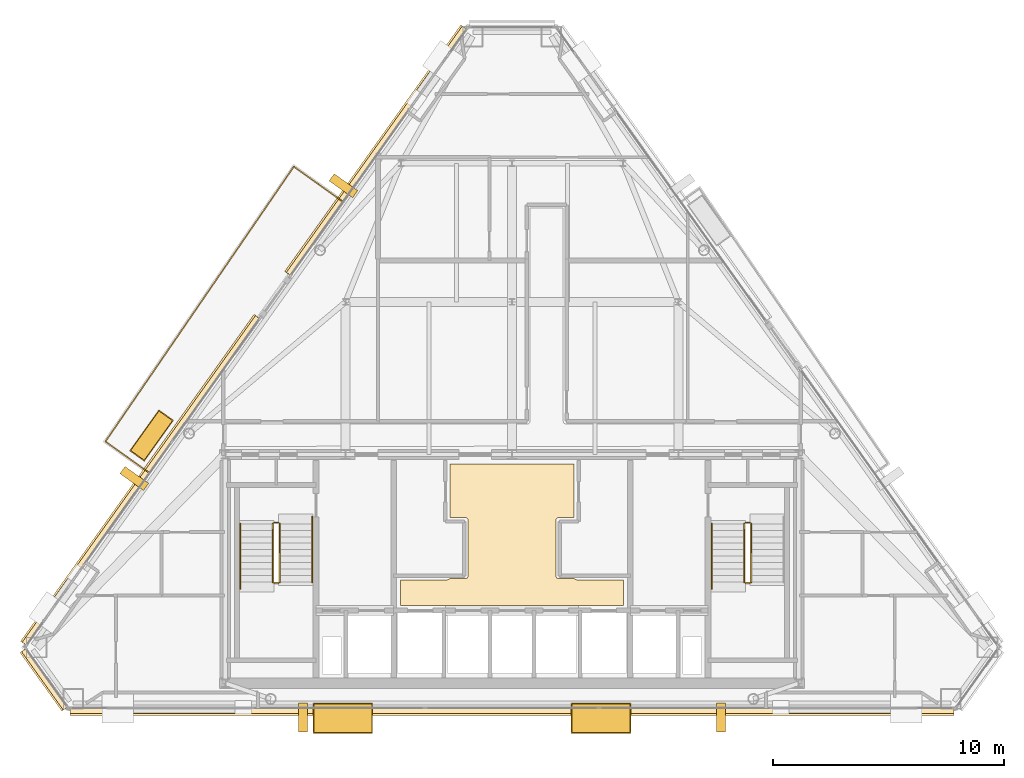
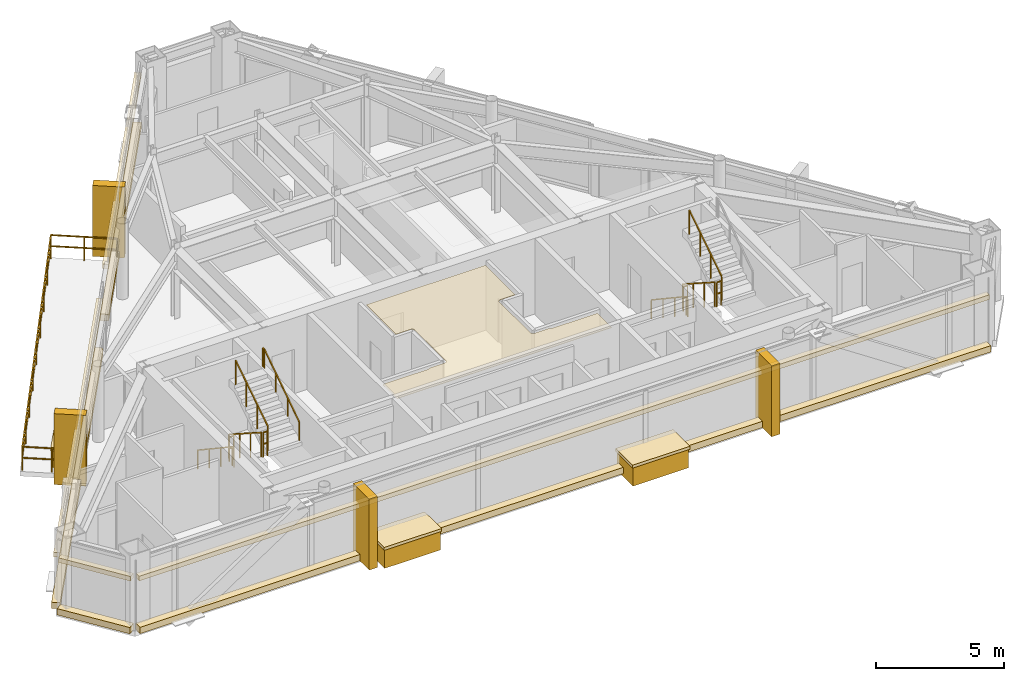
# One storey, part 11 of 12: 19 coverings, 12 railings.
"""IFC4 building model written with IfcOpenShell, lengths in metres."""

from ifc_helpers import new_model, si_unit, direction, frame, origin, origin_2d, place, context, subcontext, project, spatial, polyline, rectangle, outline, extrude, material, layer, layer_set, type_object, element, save


model = new_model("IFC4")

# Units and contexts
model_context = context("Model", 3, precision=1e-05, world=origin(), true_north=direction((0.0, 1.0)))
body_context = subcontext(model_context, "Body", "Model", "MODEL_VIEW")
ifc_project = project(units=[si_unit("LENGTHUNIT", "METRE"), si_unit("AREAUNIT", "SQUARE_METRE"), si_unit("VOLUMEUNIT", "CUBIC_METRE"), si_unit("PLANEANGLEUNIT", "RADIAN"), si_unit("MASSUNIT", "GRAM", prefix="KILO")], contexts=[model_context])

# Site, building, storey
site_placement = place(None, origin())
site = spatial("IfcSite", under=ifc_project, at=site_placement, CompositionType="ELEMENT")
building_placement = place(site_placement, origin())
building = spatial("IfcBuilding", under=site, at=building_placement, Name="Talgorran Terracotta Tower", CompositionType="ELEMENT")
storey_placement = place(building_placement, frame((0.0, 0.0, 281.39990234375)))
storey = spatial("IfcBuildingStorey", under=building, at=storey_placement, Name="L74", CompositionType="ELEMENT", Elevation=281.39990234375)

# Coverings
ifc_material_1 = material(Name="Kiln-Fired Terracotta Ochre Ceramic", Category="masonry")
ifc_layer_1 = layer(ifc_material_1, 0.179931640625, Name="COV_BAGUETTE_TERRACOTTA_SCREEN")
ifc_layer_set_1 = layer_set([ifc_layer_1], Name="Kiln-Fired Terracotta Ochre Ceramic")
covering_type_1 = type_object("IfcCoveringType", Name="COV_BAGUETTE_TERRACOTTA_SCREEN", PredefinedType="CLADDING", material=ifc_layer_set_1)
covering_1_placement = place(storey_placement, frame((-20.2119140625, -13.916748046875, 2.41015625), z_axis=(0.0, 0.0, 1.0), x_axis=(0.581256971997, -0.813720057824, 0.0)))
element("IfcCovering", 1, at=covering_1_placement, inside=storey, type_object=covering_type_1, Name="L74 Terracotta Baguette Solar Screen Assembly F0", PredefinedType="CLADDING", context=body_context, shape_type="SweptSolid", body=[
    extrude(rectangle(XDim=3.093994140625, YDim=0.260009765625, at=origin_2d()), origin(), (0.0, 0.0, 1.0), 0.219970703125),
])
covering_2_placement = place(storey_placement, frame((0.0, -15.2744140625, 2.41015625), z_axis=(0.0, 0.0, 1.0), x_axis=(1.0, 0.0, 0.0)))
element("IfcCovering", 2, at=covering_2_placement, inside=storey, type_object=covering_type_1, Name="L74 Terracotta Baguette Solar Screen Assembly F1", PredefinedType="CLADDING", context=body_context, shape_type="SweptSolid", body=[
    extrude(rectangle(XDim=38.240966796875, YDim=0.260009765625, at=origin_2d()), origin(), (0.0, 0.0, 1.0), 0.219970703125),
])
covering_3_placement = place(storey_placement, frame((-5.853515625, 8.931884765625, 2.41015625), z_axis=(0.0, 0.0, 1.0), x_axis=(-0.581242769814, -0.813730202548, 0.0)))
element("IfcCovering", 3, at=covering_3_placement, inside=storey, type_object=covering_type_1, Name="L74 Terracotta Baguette Solar Screen Assembly F60", PredefinedType="CLADDING", context=body_context, shape_type="SweptSolid", body=[
    extrude(rectangle(XDim=13.091064453125, YDim=0.260009765625, at=origin_2d()), origin(), (0.0, 0.0, 1.0), 0.219970703125),
])
covering_4_placement = place(storey_placement, frame((-16.04150390625, -5.33056640625, 2.41015625), z_axis=(0.0, 0.0, 1.0), x_axis=(-0.581242769814, -0.813730202548, 0.0)))
element("IfcCovering", 4, at=covering_4_placement, inside=storey, type_object=covering_type_1, Name="L74 Terracotta Baguette Solar Screen Assembly F61", PredefinedType="CLADDING", context=body_context, shape_type="SweptSolid", body=[
    extrude(rectangle(XDim=17.363525390625, YDim=0.260009765625, at=origin_2d()), origin(), (0.0, 0.0, 1.0), 0.219970703125),
])
ifc_material_2 = material(Name="Flush Moisture-Resistant Plaster")
ifc_layer_2 = layer(ifc_material_2, 0.01806640625, Name="COV_CEIL_PLASTER")
ifc_layer_set_2 = layer_set([ifc_layer_2], Name="Flush Moisture-Resistant Plaster")
covering_type_2 = type_object("IfcCoveringType", Name="COV_CEIL_PLASTER", PredefinedType="CEILING", material=ifc_layer_set_2)
covering_5_placement = place(storey_placement, frame((0.0, 0.0, 3.22998046875)))
element("IfcCovering", 5, at=covering_5_placement, inside=storey, type_object=covering_type_2, Name="CEIL-L74-1", PredefinedType="CEILING", context=body_context, shape_type="SweptSolid", body=[
    extrude(outline(polyline([(-2.70263671875, -9.570068359375), (-2.02001953125, -9.570068359375), (-2.00830078125, -9.5693359375), (-1.99658203125, -9.567626953125), (-1.985107421875, -9.564697265625), (-1.97412109375, -9.560791015625), (-1.96337890625, -9.555908203125), (-1.953369140625, -9.5498046875), (-1.94384765625, -9.542724609375), (-1.93505859375, -9.534912109375), (-1.92724609375, -9.526123046875), (-1.920166015625, -9.5166015625), (-1.914306640625, -9.506591796875), (-1.9091796875, -9.495849609375), (-1.9052734375, -9.48486328125), (-1.90234375, -9.473388671875), (-1.900634765625, -9.4619140625), (-1.89990234375, -9.449951171875), (-1.89990234375, -7.050048828125), (-1.900634765625, -7.0380859375), (-1.90234375, -7.026611328125), (-1.9052734375, -7.01513671875), (-1.9091796875, -7.004150390625), (-1.914306640625, -6.993408203125), (-1.920166015625, -6.9833984375), (-1.92724609375, -6.973876953125), (-1.93505859375, -6.965087890625), (-1.94384765625, -6.957275390625), (-1.953369140625, -6.9501953125), (-1.96337890625, -6.944091796875), (-1.97412109375, -6.939208984375), (-1.985107421875, -6.935302734375), (-1.99658203125, -6.932373046875), (-2.00830078125, -6.9306640625), (-2.02001953125, -6.929931640625), (-2.679931640625, -6.929931640625), (-2.679931640625, -4.6201171875), (2.679931640625, -4.6201171875), (2.679931640625, -6.929931640625), (2.02001953125, -6.929931640625), (2.00830078125, -6.9306640625), (1.99658203125, -6.932373046875), (1.985107421875, -6.935302734375), (1.97412109375, -6.939208984375), (1.96337890625, -6.944091796875), (1.953369140625, -6.9501953125), (1.94384765625, -6.957275390625), (1.93505859375, -6.965087890625), (1.92724609375, -6.973876953125), (1.920166015625, -6.9833984375), (1.914306640625, -6.993408203125), (1.9091796875, -7.004150390625), (1.9052734375, -7.01513671875), (1.90234375, -7.026611328125), (1.900634765625, -7.0380859375), (1.89990234375, -7.050048828125), (1.89990234375, -9.449951171875), (1.900634765625, -9.4619140625), (1.90234375, -9.473388671875), (1.9052734375, -9.48486328125), (1.9091796875, -9.495849609375), (1.914306640625, -9.506591796875), (1.920166015625, -9.5166015625), (1.92724609375, -9.526123046875), (1.93505859375, -9.534912109375), (1.94384765625, -9.542724609375), (1.953369140625, -9.5498046875), (1.96337890625, -9.555908203125), (1.97412109375, -9.560791015625), (1.985107421875, -9.564697265625), (1.99658203125, -9.567626953125), (2.00830078125, -9.5693359375), (2.02001953125, -9.570068359375), (2.70263671875, -9.570068359375), (2.707275390625, -9.576171875), (2.715087890625, -9.5849609375), (2.723876953125, -9.5927734375), (2.7333984375, -9.599853515625), (2.743408203125, -9.605712890625), (2.754150390625, -9.61083984375), (2.76513671875, -9.61474609375), (2.776611328125, -9.61767578125), (2.7880859375, -9.619384765625), (2.800048828125, -9.6201171875), (4.830078125, -9.6201171875), (4.830078125, -10.72998046875), (-4.830078125, -10.72998046875), (-4.830078125, -9.6201171875), (-2.800048828125, -9.6201171875), (-2.7880859375, -9.619384765625), (-2.776611328125, -9.61767578125), (-2.76513671875, -9.61474609375), (-2.754150390625, -9.61083984375), (-2.743408203125, -9.605712890625), (-2.7333984375, -9.599853515625), (-2.723876953125, -9.5927734375), (-2.715087890625, -9.5849609375), (-2.707275390625, -9.576171875), (-2.70263671875, -9.570068359375)])), origin(), (0.0, 0.0, 1.0), 0.02001953125),
])
ifc_material_3 = material(Name="Honed Limestone and Terracotta Planter", Category="masonry")
ifc_layer_3 = layer(ifc_material_3, 0.1201171875, Name="COV_PLANTER_BOX")
ifc_layer_set_3 = layer_set([ifc_layer_3], Name="Honed Limestone and Terracotta Planter")
covering_type_3 = type_object("IfcCoveringType", Name="COV_PLANTER_BOX", PredefinedType="CLADDING", material=ifc_layer_set_3)
for number, where, z_axis, x_axis, name in (
    (6, (3.8505859375, -15.614501953125, -0.179931640625), (0.0, 0.0, 1.0), (1.0, 0.0, 0.0), "L74 Staggered South Facade Planter Box 1"),
    (7, (-7.31591796875, -15.614501953125, -0.179931640625), (0.0, 0.0, 1.0), (1.0, 0.0, 0.0), "L74 Staggered South Facade Planter Box 2"),
):
    element("IfcCovering", number, at=place(storey_placement, frame(where, z_axis=z_axis, x_axis=x_axis)), inside=storey, type_object=covering_type_3, Name=name, PredefinedType="CLADDING", context=body_context, shape_type="SweptSolid", body=[
        extrude(rectangle(XDim=2.5, YDim=1.25, at=origin_2d()), origin(), (0.0, 0.0, 1.0), 0.919921875),
    ])
covering_6_placement = place(storey_placement, frame((-15.5947265625, -3.38037109375, -0.02001953125), z_axis=(0.0, 0.0, 1.0), x_axis=(-0.581256971997, -0.813720057824, 0.0)))
element("IfcCovering", 8, at=covering_6_placement, inside=storey, type_object=covering_type_3, Name="L74 Staggered Balcony Planter Box BAL-NW", PredefinedType="CLADDING", context=body_context, shape_type="SweptSolid", body=[
    extrude(rectangle(XDim=2.10009765625, YDim=0.719970703125, at=origin_2d()), origin(), (0.0, 0.0, 1.0), 0.860107421875),
])
ifc_material_4 = material(Name="Kiln-Fired Terracotta Planter Rim", Category="masonry")
ifc_layer_4 = layer(ifc_material_4, 0.10009765625, Name="COV_PLANTER_RIM")
ifc_layer_set_4 = layer_set([ifc_layer_4], Name="Kiln-Fired Terracotta Planter Rim")
covering_type_4 = type_object("IfcCoveringType", Name="COV_PLANTER_RIM", PredefinedType="CLADDING", material=ifc_layer_set_4)
for number, where, z_axis, x_axis, name in (
    (9, (3.8505859375, -15.614501953125, 0.7099609375), (0.0, 0.0, 1.0), (1.0, 0.0, 0.0), "L74 South Planter Terracotta Rim 1"),
    (10, (-7.31591796875, -15.614501953125, 0.7099609375), (0.0, 0.0, 1.0), (1.0, 0.0, 0.0), "L74 South Planter Terracotta Rim 2"),
):
    element("IfcCovering", number, at=place(storey_placement, frame(where, z_axis=z_axis, x_axis=x_axis)), inside=storey, type_object=covering_type_4, Name=name, PredefinedType="CLADDING", context=body_context, shape_type="SweptSolid", body=[
        extrude(rectangle(XDim=2.580078125, YDim=1.320068359375, at=origin_2d()), origin(), (0.0, 0.0, 1.0), 0.139892578125),
    ])
covering_7_placement = place(storey_placement, frame((-15.5947265625, -3.38037109375, 0.800048828125), z_axis=(0.0, 0.0, 1.0), x_axis=(-0.581256971997, -0.813720057824, 0.0)))
element("IfcCovering", 11, at=covering_7_placement, inside=storey, type_object=covering_type_4, Name="L74 Balcony Planter Terracotta Rim BAL-NW", PredefinedType="CLADDING", context=body_context, shape_type="SweptSolid", body=[
    extrude(rectangle(XDim=2.179931640625, YDim=0.780029296875, at=origin_2d()), origin(), (0.0, 0.0, 1.0), 0.1201171875),
])
ifc_material_5 = material(Name="Honed Limestone Cladding", Category="masonry")
ifc_layer_5 = layer(ifc_material_5, 0.094970703125, Name="COV_PORTAL_LIME")
ifc_layer_set_5 = layer_set([ifc_layer_5], Name="Honed Limestone Cladding")
covering_type_5 = type_object("IfcCoveringType", Name="COV_PORTAL_LIME", PredefinedType="CLADDING", material=ifc_layer_set_5)
covering_8_placement = place(storey_placement, frame((-20.244384765625, -13.93994140625, -0.0400390625), z_axis=(0.0, 0.0, 1.0), x_axis=(0.581256971997, -0.813720057824, 0.0)))
element("IfcCovering", 12, at=covering_8_placement, inside=storey, type_object=covering_type_5, Name="L74 Striped Postmodern Portal Cladding Band F0", PredefinedType="CLADDING", context=body_context, shape_type="SweptSolid", body=[
    extrude(rectangle(XDim=3.114013671875, YDim=0.340087890625, at=origin_2d()), origin(), (0.0, 0.0, 1.0), 0.300048828125),
])
covering_9_placement = place(storey_placement, frame((0.0, -15.314453125, -0.0400390625), z_axis=(0.0, 0.0, 1.0), x_axis=(1.0, 0.0, 0.0)))
element("IfcCovering", 13, at=covering_9_placement, inside=storey, type_object=covering_type_5, Name="L74 Striped Postmodern Portal Cladding Band F1", PredefinedType="CLADDING", context=body_context, shape_type="SweptSolid", body=[
    extrude(rectangle(XDim=38.260986328125, YDim=0.340087890625, at=origin_2d()), origin(), (0.0, 0.0, 1.0), 0.300048828125),
])
covering_10_placement = place(storey_placement, frame((-5.88623046875, 8.955078125, -0.0400390625), z_axis=(0.0, 0.0, 1.0), x_axis=(-0.581242769814, -0.813730202548, 0.0)))
element("IfcCovering", 14, at=covering_10_placement, inside=storey, type_object=covering_type_5, Name="L74 Striped Postmodern Portal Cladding Band F60", PredefinedType="CLADDING", context=body_context, shape_type="SweptSolid", body=[
    extrude(rectangle(XDim=13.111083984375, YDim=0.340087890625, at=origin_2d()), origin(), (0.0, 0.0, 1.0), 0.300048828125),
])
covering_11_placement = place(storey_placement, frame((-16.073974609375, -5.307373046875, -0.0400390625), z_axis=(0.0, 0.0, 1.0), x_axis=(-0.581242769814, -0.813730202548, 0.0)))
element("IfcCovering", 15, at=covering_11_placement, inside=storey, type_object=covering_type_5, Name="L74 Striped Postmodern Portal Cladding Band F61", PredefinedType="CLADDING", context=body_context, shape_type="SweptSolid", body=[
    extrude(rectangle(XDim=17.383544921875, YDim=0.340087890625, at=origin_2d()), origin(), (0.0, 0.0, 1.0), 0.300048828125),
])
for number, where, z_axis, x_axis, name in (
    (16, (9.048583984375, -15.574462890625, -0.050048828125), (0.0, 0.0, 1.0), (1.0, 0.0, 0.0), "L74 White Striped Portal Fin F1-2"),
    (17, (-16.34375, -5.23779296875, -0.050048828125), (0.0, 0.0, 1.0), (-0.581256971997, -0.813720057824, 0.0), "L74 White Striped Portal Fin F5-2"),
):
    element("IfcCovering", number, at=place(storey_placement, frame(where, z_axis=z_axis, x_axis=x_axis)), inside=storey, type_object=covering_type_5, Name=name, PredefinedType="CLADDING", context=body_context, shape_type="SweptSolid", body=[
        extrude(rectangle(XDim=0.3798828125, YDim=1.25, at=origin_2d()), origin(), (0.0, 0.0, 1.0), 3.3701171875),
    ])
ifc_material_6 = material(Name="Kiln-Fired Terracotta Cladding", Category="masonry")
ifc_layer_6 = layer(ifc_material_6, 0.090087890625, Name="COV_PORTAL_TERRA")
ifc_layer_set_6 = layer_set([ifc_layer_6], Name="Kiln-Fired Terracotta Cladding")
covering_type_6 = type_object("IfcCoveringType", Name="COV_PORTAL_TERRA", PredefinedType="CLADDING", material=ifc_layer_set_6)
for number, where, z_axis, x_axis, name in (
    (18, (-9.048583984375, -15.574462890625, -0.050048828125), (0.0, 0.0, 1.0), (1.0, 0.0, 0.0), "L74 Terracotta Striped Portal Fin F1-1"),
    (19, (-7.295166015625, 7.429931640625, -0.050048828125), (0.0, 0.0, 1.0), (-0.581256971997, -0.813720057824, 0.0), "L74 Terracotta Striped Portal Fin F5-1"),
):
    element("IfcCovering", number, at=place(storey_placement, frame(where, z_axis=z_axis, x_axis=x_axis)), inside=storey, type_object=covering_type_6, Name=name, PredefinedType="CLADDING", context=body_context, shape_type="SweptSolid", body=[
        extrude(rectangle(XDim=0.3798828125, YDim=1.25, at=origin_2d()), origin(), (0.0, 0.0, 1.0), 3.3701171875),
    ])

# Railings
ifc_material_7 = material(Name="Laminated Glass and Stainless Steel 316", Category="steel")
railing_type_1 = type_object("IfcRailingType", Name="RL_BALCONY_1150", PredefinedType="BALUSTRADE", material=ifc_material_7)
railing_1_placement = place(storey_placement, frame((-7.3212890625, 6.739501953125, 0.0)))
element("IfcRailing", 20, at=railing_1_placement, inside=storey, type_object=railing_type_1, Name="RL-L74-BAL-BAL-NW", PredefinedType="BALUSTRADE", context=body_context, shape_type="SweptSolid", body=[
    extrude(rectangle(XDim=0.048095703125, YDim=0.048095703125, at=origin_2d()), frame((0.0, 0.0, 1.1259765625), z_axis=(-0.813695478389, 0.581291379989, 0.0), x_axis=(-0.581291379989, -0.813695478389, 0.0)), (0.0, 0.0, 1.0), 2.605224609375),
    extrude(rectangle(XDim=0.048095703125, YDim=0.048095703125, at=origin_2d()), frame((0.0, 0.0, 0.597900390625), z_axis=(-0.813695478389, 0.581291379989, 0.0), x_axis=(-0.581291379989, -0.813695478389, 0.0)), (0.0, 0.0, 1.0), 2.605224609375),
    extrude(rectangle(XDim=0.048095703125, YDim=0.048095703125, at=origin_2d()), frame((-2.119873046875, 1.514404296875, 1.1259765625), z_axis=(-0.565176165359, -0.824970243167, 0.0), x_axis=(0.824970243167, -0.565176165359, 0.0)), (0.0, 0.0, 1.0), 14.416748046875),
    extrude(rectangle(XDim=0.048095703125, YDim=0.048095703125, at=origin_2d()), frame((-2.119873046875, 1.514404296875, 0.597900390625), z_axis=(-0.565176165359, -0.824970243167, 0.0), x_axis=(0.824970243167, -0.565176165359, 0.0)), (0.0, 0.0, 1.0), 14.416748046875),
    extrude(rectangle(XDim=0.048095703125, YDim=0.048095703125, at=origin_2d()), frame((-10.267822265625, -10.37890625, 1.1259765625), z_axis=(0.813747676609, -0.581218305642, 0.0), x_axis=(0.581218305642, 0.813747676609, 0.0)), (0.0, 0.0, 1.0), 2.322509765625),
    extrude(rectangle(XDim=0.048095703125, YDim=0.048095703125, at=origin_2d()), frame((-10.267822265625, -10.37890625, 0.597900390625), z_axis=(0.813747676609, -0.581218305642, 0.0), x_axis=(0.581218305642, 0.813747676609, 0.0)), (0.0, 0.0, 1.0), 2.322509765625),
    extrude(rectangle(XDim=0.0419921875, YDim=0.0419921875, at=origin_2d()), origin(), (0.0, 0.0, 1.0), 1.101806640625),
    extrude(rectangle(XDim=0.0419921875, YDim=0.0419921875, at=origin_2d()), frame((-1.06005859375, 0.75732421875, 0.0)), (0.0, 0.0, 1.0), 1.101806640625),
    extrude(rectangle(XDim=0.0419921875, YDim=0.0419921875, at=origin_2d()), frame((-2.119873046875, 1.514404296875, 0.0)), (0.0, 0.0, 1.0), 1.101806640625),
    extrude(rectangle(XDim=0.0419921875, YDim=0.0419921875, at=origin_2d()), frame((-3.138427734375, 0.02783203125, 0.0)), (0.0, 0.0, 1.0), 1.101806640625),
    extrude(rectangle(XDim=0.0419921875, YDim=0.0419921875, at=origin_2d()), frame((-4.15673828125, -1.458984375, 0.0)), (0.0, 0.0, 1.0), 1.101806640625),
    extrude(rectangle(XDim=0.0419921875, YDim=0.0419921875, at=origin_2d()), frame((-5.17529296875, -2.945556640625, 0.0)), (0.0, 0.0, 1.0), 1.101806640625),
    extrude(rectangle(XDim=0.0419921875, YDim=0.0419921875, at=origin_2d()), frame((-6.19384765625, -4.43212890625, 0.0)), (0.0, 0.0, 1.0), 1.101806640625),
    extrude(rectangle(XDim=0.0419921875, YDim=0.0419921875, at=origin_2d()), frame((-7.21240234375, -5.9189453125, 0.0)), (0.0, 0.0, 1.0), 1.101806640625),
    extrude(rectangle(XDim=0.0419921875, YDim=0.0419921875, at=origin_2d()), frame((-8.23095703125, -7.405517578125, 0.0)), (0.0, 0.0, 1.0), 1.101806640625),
    extrude(rectangle(XDim=0.0419921875, YDim=0.0419921875, at=origin_2d()), frame((-9.249267578125, -8.892333984375, 0.0)), (0.0, 0.0, 1.0), 1.101806640625),
    extrude(rectangle(XDim=0.0419921875, YDim=0.0419921875, at=origin_2d()), frame((-10.267822265625, -10.37890625, 0.0)), (0.0, 0.0, 1.0), 1.101806640625),
    extrude(rectangle(XDim=0.0419921875, YDim=0.0419921875, at=origin_2d()), frame((-9.32275390625, -11.0537109375, 0.0)), (0.0, 0.0, 1.0), 1.101806640625),
    extrude(rectangle(XDim=0.0419921875, YDim=0.0419921875, at=origin_2d()), frame((-8.3779296875, -11.728759765625, 0.0)), (0.0, 0.0, 1.0), 1.101806640625),
])
ifc_material_8 = material(Name="Steel S355 (300PLUS)", Category="steel")
railing_type_2 = type_object("IfcRailingType", Name="RL_HANDRAIL_920", PredefinedType="HANDRAIL", material=ifc_material_8)
railing_2_placement = place(storey_placement, frame((-11.75, -7.199951171875, 0.18017578125)))
element("IfcRailing", 21, at=railing_2_placement, inside=storey, type_object=railing_type_2, Name="L74 ST-01 stair handrail 1", PredefinedType="HANDRAIL", context=body_context, shape_type="SweptSolid", body=[
    extrude(rectangle(XDim=0.048095703125, YDim=0.048095703125, at=origin_2d()), frame((0.0, 0.0, 0.89599609375), z_axis=(0.0, -0.832073444223, 0.554665469827), x_axis=(1.0, 0.0, 0.0)), (0.0, 0.0, 1.0), 3.244873046875),
    extrude(rectangle(XDim=0.048095703125, YDim=0.048095703125, at=origin_2d()), frame((0.0, -2.699951171875, 2.69580078125), z_axis=(0.0, -1.0, 0.0), x_axis=(1.0, 0.0, 0.0)), (0.0, 0.0, 1.0), 0.1201171875),
    extrude(rectangle(XDim=0.0419921875, YDim=0.0419921875, at=origin_2d()), origin(), (0.0, 0.0, 1.0), 0.871826171875),
    extrude(rectangle(XDim=0.0419921875, YDim=0.0419921875, at=origin_2d()), frame((0.0, -0.89990234375, 0.599853515625)), (0.0, 0.0, 1.0), 0.871826171875),
    extrude(rectangle(XDim=0.0419921875, YDim=0.0419921875, at=origin_2d()), frame((0.0, -1.800048828125, 1.199951171875)), (0.0, 0.0, 1.0), 0.871826171875),
    extrude(rectangle(XDim=0.0419921875, YDim=0.0419921875, at=origin_2d()), frame((0.0, -2.699951171875, 1.7998046875)), (0.0, 0.0, 1.0), 0.871826171875),
    extrude(rectangle(XDim=0.0419921875, YDim=0.0419921875, at=origin_2d()), frame((0.0, -2.820068359375, 1.7998046875)), (0.0, 0.0, 1.0), 0.871826171875),
])
railing_3_placement = place(storey_placement, frame((-8.64990234375, -9.719970703125, 1.97998046875)))
element("IfcRailing", 22, at=railing_3_placement, inside=storey, type_object=railing_type_2, Name="L74 ST-01 stair handrail 2", PredefinedType="HANDRAIL", context=body_context, shape_type="SweptSolid", body=[
    extrude(rectangle(XDim=0.048095703125, YDim=0.048095703125, at=origin_2d()), frame((0.0, 0.0, 0.89599609375), z_axis=(0.0, 0.832038719335, 0.554717558338), x_axis=(-1.0, 0.0, 0.0)), (0.0, 0.0, 1.0), 3.244873046875),
    extrude(rectangle(XDim=0.048095703125, YDim=0.048095703125, at=origin_2d()), frame((0.0, 2.699951171875, 2.69580078125), z_axis=(0.0, 1.0, 0.0), x_axis=(-1.0, 0.0, 0.0)), (0.0, 0.0, 1.0), 0.1201171875),
    extrude(rectangle(XDim=0.0419921875, YDim=0.0419921875, at=origin_2d()), origin(), (0.0, 0.0, 1.0), 0.871826171875),
    extrude(rectangle(XDim=0.0419921875, YDim=0.0419921875, at=origin_2d()), frame((0.0, 0.89990234375, 0.60009765625)), (0.0, 0.0, 1.0), 0.871826171875),
    extrude(rectangle(XDim=0.0419921875, YDim=0.0419921875, at=origin_2d()), frame((0.0, 1.800048828125, 1.199951171875)), (0.0, 0.0, 1.0), 0.871826171875),
    extrude(rectangle(XDim=0.0419921875, YDim=0.0419921875, at=origin_2d()), frame((0.0, 2.699951171875, 1.800048828125)), (0.0, 0.0, 1.0), 0.871826171875),
    extrude(rectangle(XDim=0.0419921875, YDim=0.0419921875, at=origin_2d()), frame((0.0, 2.820068359375, 1.800048828125)), (0.0, 0.0, 1.0), 0.871826171875),
])
railing_4_placement = place(storey_placement, frame((8.64990234375, -7.199951171875, 0.18017578125)))
element("IfcRailing", 23, at=railing_4_placement, inside=storey, type_object=railing_type_2, Name="L74 ST-02 stair handrail 1", PredefinedType="HANDRAIL", context=body_context, shape_type="SweptSolid", body=[
    extrude(rectangle(XDim=0.048095703125, YDim=0.048095703125, at=origin_2d()), frame((0.0, 0.0, 0.89599609375), z_axis=(0.0, -0.832073444223, 0.554665469827), x_axis=(1.0, 0.0, 0.0)), (0.0, 0.0, 1.0), 3.244873046875),
    extrude(rectangle(XDim=0.048095703125, YDim=0.048095703125, at=origin_2d()), frame((0.0, -2.699951171875, 2.69580078125), z_axis=(0.0, -1.0, 0.0), x_axis=(1.0, 0.0, 0.0)), (0.0, 0.0, 1.0), 0.1201171875),
    extrude(rectangle(XDim=0.0419921875, YDim=0.0419921875, at=origin_2d()), origin(), (0.0, 0.0, 1.0), 0.871826171875),
    extrude(rectangle(XDim=0.0419921875, YDim=0.0419921875, at=origin_2d()), frame((0.0, -0.89990234375, 0.599853515625)), (0.0, 0.0, 1.0), 0.871826171875),
    extrude(rectangle(XDim=0.0419921875, YDim=0.0419921875, at=origin_2d()), frame((0.0, -1.800048828125, 1.199951171875)), (0.0, 0.0, 1.0), 0.871826171875),
    extrude(rectangle(XDim=0.0419921875, YDim=0.0419921875, at=origin_2d()), frame((0.0, -2.699951171875, 1.7998046875)), (0.0, 0.0, 1.0), 0.871826171875),
    extrude(rectangle(XDim=0.0419921875, YDim=0.0419921875, at=origin_2d()), frame((0.0, -2.820068359375, 1.7998046875)), (0.0, 0.0, 1.0), 0.871826171875),
])
railing_type_3 = type_object("IfcRailingType", Name="RL_STAIR_GUARD", PredefinedType="GUARDRAIL", material=ifc_material_8)
railing_5_placement = place(storey_placement, frame((-10.35009765625, -7.199951171875, 0.18017578125)))
element("IfcRailing", 24, at=railing_5_placement, inside=storey, type_object=railing_type_3, Name="L74 ST-01 stair guard 1", PredefinedType="GUARDRAIL", context=body_context, shape_type="SweptSolid", body=[
    extrude(rectangle(XDim=0.048095703125, YDim=0.048095703125, at=origin_2d()), frame((0.0, 0.0, 1.15576171875), z_axis=(0.0, -0.841199657755, 0.540724639528), x_axis=(1.0, 0.0, 0.0)), (0.0, 0.0, 1.0), 2.995849609375),
    extrude(rectangle(XDim=0.0419921875, YDim=0.0419921875, at=origin_2d()), origin(), (0.0, 0.0, 1.0), 1.1318359375),
    extrude(rectangle(XDim=0.0419921875, YDim=0.0419921875, at=origin_2d()), frame((0.0, -0.840087890625, 0.5400390625)), (0.0, 0.0, 1.0), 1.1318359375),
    extrude(rectangle(XDim=0.0419921875, YDim=0.0419921875, at=origin_2d()), frame((0.0, -1.679931640625, 1.079833984375)), (0.0, 0.0, 1.0), 1.1318359375),
    extrude(rectangle(XDim=0.0419921875, YDim=0.0419921875, at=origin_2d()), frame((0.0, -2.52001953125, 1.619873046875)), (0.0, 0.0, 1.0), 1.1318359375),
])
railing_6_placement = place(storey_placement, frame((-10.300048828125, -9.77001953125, 1.800048828125)))
element("IfcRailing", 25, at=railing_6_placement, inside=storey, type_object=railing_type_3, Name="L74 ST-01 stair guard 2", PredefinedType="GUARDRAIL", context=body_context, shape_type="SweptSolid", body=[
    extrude(rectangle(XDim=0.048095703125, YDim=0.048095703125, at=origin_2d()), frame((0.0, 0.0, 1.15576171875), z_axis=(1.0, 0.0, 0.0), x_axis=(0.0, 1.0, 0.0)), (0.0, 0.0, 1.0), 0.199951171875),
    extrude(rectangle(XDim=0.048095703125, YDim=0.048095703125, at=origin_2d()), frame((0.0, 0.0, 0.613525390625), z_axis=(1.0, 0.0, 0.0), x_axis=(0.0, 1.0, 0.0)), (0.0, 0.0, 1.0), 0.199951171875),
    extrude(rectangle(XDim=0.0419921875, YDim=0.0419921875, at=origin_2d()), origin(), (0.0, 0.0, 1.0), 1.1318359375),
    extrude(rectangle(XDim=0.0419921875, YDim=0.0419921875, at=origin_2d()), frame((0.199951171875, 0.0, 0.0)), (0.0, 0.0, 1.0), 1.1318359375),
])
railing_7_placement = place(storey_placement, frame((-10.050048828125, -9.719970703125, 1.97998046875)))
element("IfcRailing", 26, at=railing_7_placement, inside=storey, type_object=railing_type_3, Name="L74 ST-01 stair guard 3", PredefinedType="GUARDRAIL", context=body_context, shape_type="SweptSolid", body=[
    extrude(rectangle(XDim=0.048095703125, YDim=0.048095703125, at=origin_2d()), frame((0.0, 0.0, 1.15576171875), z_axis=(0.0, 0.841162588446, 0.540782303519), x_axis=(-1.0, 0.0, 0.0)), (0.0, 0.0, 1.0), 2.995849609375),
    extrude(rectangle(XDim=0.0419921875, YDim=0.0419921875, at=origin_2d()), origin(), (0.0, 0.0, 1.0), 1.1318359375),
    extrude(rectangle(XDim=0.0419921875, YDim=0.0419921875, at=origin_2d()), frame((0.0, 0.840087890625, 0.5400390625)), (0.0, 0.0, 1.0), 1.1318359375),
    extrude(rectangle(XDim=0.0419921875, YDim=0.0419921875, at=origin_2d()), frame((0.0, 1.679931640625, 1.080078125)), (0.0, 0.0, 1.0), 1.1318359375),
    extrude(rectangle(XDim=0.0419921875, YDim=0.0419921875, at=origin_2d()), frame((0.0, 2.52001953125, 1.6201171875)), (0.0, 0.0, 1.0), 1.1318359375),
])
railing_8_placement = place(storey_placement, frame((-10.300048828125, -7.14990234375, 0.0)))
element("IfcRailing", 27, at=railing_8_placement, inside=storey, type_object=railing_type_3, Name="L74 ST-01 stair guard 4", PredefinedType="GUARDRAIL", context=body_context, shape_type="SweptSolid", body=[
    extrude(rectangle(XDim=0.048095703125, YDim=0.048095703125, at=origin_2d()), frame((0.0, 0.0, 1.15576171875), z_axis=(1.0, 0.0, 0.0), x_axis=(0.0, 1.0, 0.0)), (0.0, 0.0, 1.0), 0.199951171875),
    extrude(rectangle(XDim=0.048095703125, YDim=0.048095703125, at=origin_2d()), frame((0.0, 0.0, 0.613525390625), z_axis=(1.0, 0.0, 0.0), x_axis=(0.0, 1.0, 0.0)), (0.0, 0.0, 1.0), 0.199951171875),
    extrude(rectangle(XDim=0.0419921875, YDim=0.0419921875, at=origin_2d()), origin(), (0.0, 0.0, 1.0), 1.1318359375),
    extrude(rectangle(XDim=0.0419921875, YDim=0.0419921875, at=origin_2d()), frame((0.199951171875, 0.0, 0.0)), (0.0, 0.0, 1.0), 1.1318359375),
])
railing_9_placement = place(storey_placement, frame((10.050048828125, -7.199951171875, 0.18017578125)))
element("IfcRailing", 28, at=railing_9_placement, inside=storey, type_object=railing_type_3, Name="L74 ST-02 stair guard 1", PredefinedType="GUARDRAIL", context=body_context, shape_type="SweptSolid", body=[
    extrude(rectangle(XDim=0.048095703125, YDim=0.048095703125, at=origin_2d()), frame((0.0, 0.0, 1.15576171875), z_axis=(0.0, -0.841199657755, 0.540724639528), x_axis=(1.0, 0.0, 0.0)), (0.0, 0.0, 1.0), 2.995849609375),
    extrude(rectangle(XDim=0.0419921875, YDim=0.0419921875, at=origin_2d()), origin(), (0.0, 0.0, 1.0), 1.1318359375),
    extrude(rectangle(XDim=0.0419921875, YDim=0.0419921875, at=origin_2d()), frame((0.0, -0.840087890625, 0.5400390625)), (0.0, 0.0, 1.0), 1.1318359375),
    extrude(rectangle(XDim=0.0419921875, YDim=0.0419921875, at=origin_2d()), frame((0.0, -1.679931640625, 1.079833984375)), (0.0, 0.0, 1.0), 1.1318359375),
    extrude(rectangle(XDim=0.0419921875, YDim=0.0419921875, at=origin_2d()), frame((0.0, -2.52001953125, 1.619873046875)), (0.0, 0.0, 1.0), 1.1318359375),
])
railing_10_placement = place(storey_placement, frame((10.10009765625, -9.77001953125, 1.800048828125)))
element("IfcRailing", 29, at=railing_10_placement, inside=storey, type_object=railing_type_3, Name="L74 ST-02 stair guard 2", PredefinedType="GUARDRAIL", context=body_context, shape_type="SweptSolid", body=[
    extrude(rectangle(XDim=0.048095703125, YDim=0.048095703125, at=origin_2d()), frame((0.0, 0.0, 1.15576171875), z_axis=(1.0, 0.0, 0.0), x_axis=(0.0, 1.0, 0.0)), (0.0, 0.0, 1.0), 0.199951171875),
    extrude(rectangle(XDim=0.048095703125, YDim=0.048095703125, at=origin_2d()), frame((0.0, 0.0, 0.613525390625), z_axis=(1.0, 0.0, 0.0), x_axis=(0.0, 1.0, 0.0)), (0.0, 0.0, 1.0), 0.199951171875),
    extrude(rectangle(XDim=0.0419921875, YDim=0.0419921875, at=origin_2d()), origin(), (0.0, 0.0, 1.0), 1.1318359375),
    extrude(rectangle(XDim=0.0419921875, YDim=0.0419921875, at=origin_2d()), frame((0.199951171875, 0.0, 0.0)), (0.0, 0.0, 1.0), 1.1318359375),
])
railing_11_placement = place(storey_placement, frame((10.35009765625, -9.719970703125, 1.97998046875)))
element("IfcRailing", 30, at=railing_11_placement, inside=storey, type_object=railing_type_3, Name="L74 ST-02 stair guard 3", PredefinedType="GUARDRAIL", context=body_context, shape_type="SweptSolid", body=[
    extrude(rectangle(XDim=0.048095703125, YDim=0.048095703125, at=origin_2d()), frame((0.0, 0.0, 1.15576171875), z_axis=(0.0, 0.841162588446, 0.540782303519), x_axis=(-1.0, 0.0, 0.0)), (0.0, 0.0, 1.0), 2.995849609375),
    extrude(rectangle(XDim=0.0419921875, YDim=0.0419921875, at=origin_2d()), origin(), (0.0, 0.0, 1.0), 1.1318359375),
    extrude(rectangle(XDim=0.0419921875, YDim=0.0419921875, at=origin_2d()), frame((0.0, 0.840087890625, 0.5400390625)), (0.0, 0.0, 1.0), 1.1318359375),
    extrude(rectangle(XDim=0.0419921875, YDim=0.0419921875, at=origin_2d()), frame((0.0, 1.679931640625, 1.080078125)), (0.0, 0.0, 1.0), 1.1318359375),
    extrude(rectangle(XDim=0.0419921875, YDim=0.0419921875, at=origin_2d()), frame((0.0, 2.52001953125, 1.6201171875)), (0.0, 0.0, 1.0), 1.1318359375),
])
railing_12_placement = place(storey_placement, frame((10.10009765625, -7.14990234375, 0.0)))
element("IfcRailing", 31, at=railing_12_placement, inside=storey, type_object=railing_type_3, Name="L74 ST-02 stair guard 4", PredefinedType="GUARDRAIL", context=body_context, shape_type="SweptSolid", body=[
    extrude(rectangle(XDim=0.048095703125, YDim=0.048095703125, at=origin_2d()), frame((0.0, 0.0, 1.15576171875), z_axis=(1.0, 0.0, 0.0), x_axis=(0.0, 1.0, 0.0)), (0.0, 0.0, 1.0), 0.199951171875),
    extrude(rectangle(XDim=0.048095703125, YDim=0.048095703125, at=origin_2d()), frame((0.0, 0.0, 0.613525390625), z_axis=(1.0, 0.0, 0.0), x_axis=(0.0, 1.0, 0.0)), (0.0, 0.0, 1.0), 0.199951171875),
    extrude(rectangle(XDim=0.0419921875, YDim=0.0419921875, at=origin_2d()), origin(), (0.0, 0.0, 1.0), 1.1318359375),
    extrude(rectangle(XDim=0.0419921875, YDim=0.0419921875, at=origin_2d()), frame((0.199951171875, 0.0, 0.0)), (0.0, 0.0, 1.0), 1.1318359375),
])

save(model, "model.ifc")
